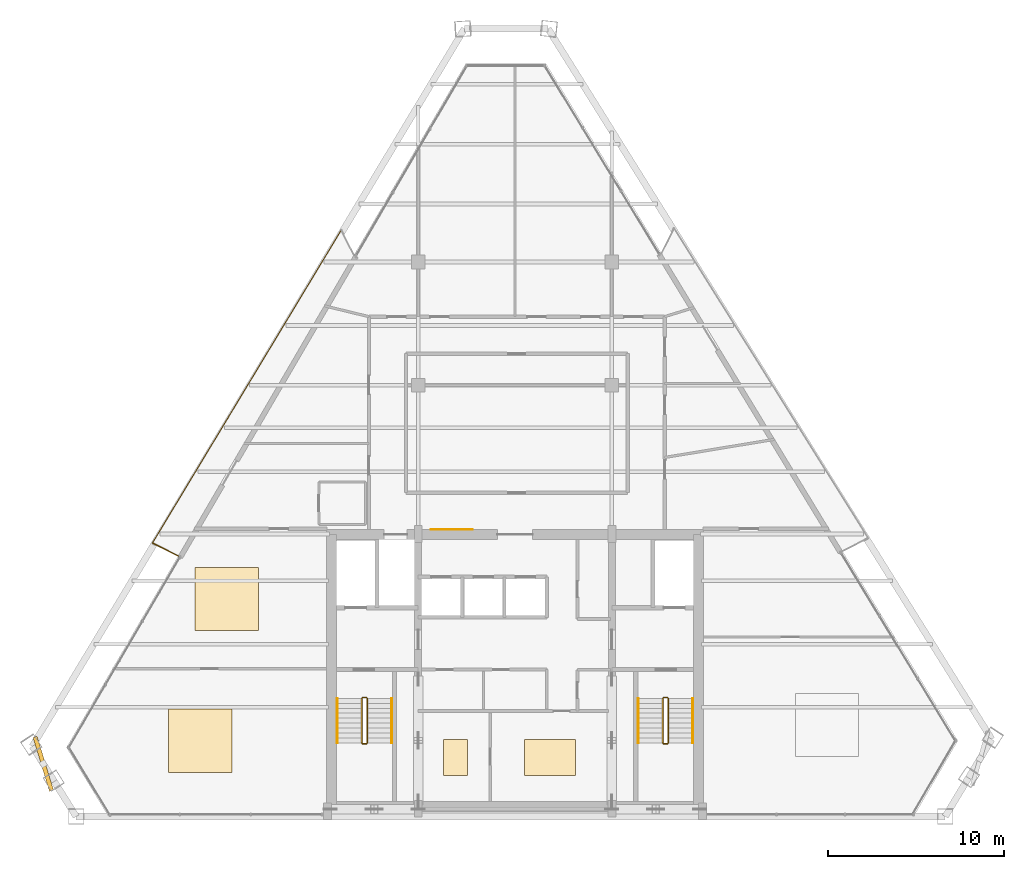
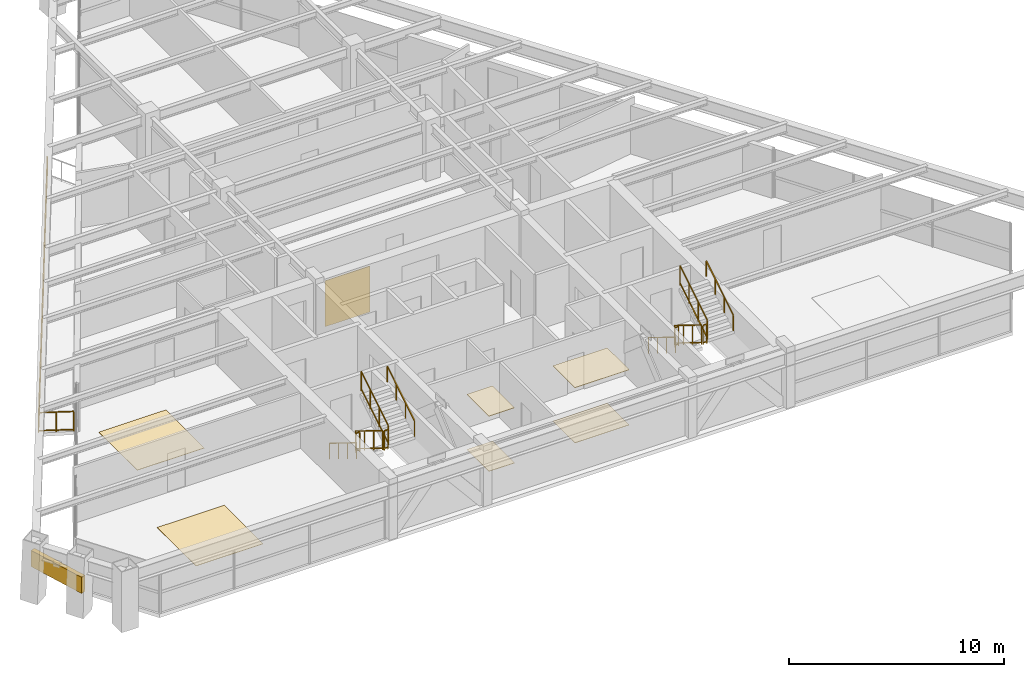
# One storey, part 12 of 13: 14 railings, 7 coverings, 1 shading device.
"""IFC4 building model written with IfcOpenShell, lengths in metres."""

from ifc_helpers import new_model, si_unit, direction, frame, origin, origin_2d, place, context, subcontext, project, spatial, rectangle, extrude, source, transform, mapped, material, layer, layer_set, type_object, type_shapes, element, save


model = new_model("IFC4")

# Units and contexts
model_context = context("Model", 3, precision=1e-05, world=origin(), true_north=direction((0.0, 1.0)))
body_context = subcontext(model_context, "Body", "Model", "MODEL_VIEW")
ifc_project = project(units=[si_unit("LENGTHUNIT", "METRE"), si_unit("AREAUNIT", "SQUARE_METRE"), si_unit("VOLUMEUNIT", "CUBIC_METRE"), si_unit("PLANEANGLEUNIT", "RADIAN"), si_unit("MASSUNIT", "GRAM", prefix="KILO")], contexts=[model_context])

# Site, building, storey
site_placement = place(None, origin())
site = spatial("IfcSite", under=ifc_project, at=site_placement, CompositionType="ELEMENT")
building_placement = place(site_placement, origin())
building = spatial("IfcBuilding", under=site, at=building_placement, Name="Varnakhor Terracotta Tower", CompositionType="ELEMENT")
storey_placement = place(building_placement, frame((0.0, 0.0, 254.5)))
storey = spatial("IfcBuildingStorey", under=building, at=storey_placement, Name="L66", CompositionType="ELEMENT", Elevation=254.5)

# Railings
ifc_material_1 = material(Name="Stainless Steel & Laminated Glass Guardrail", Category="steel")
railing_type_1 = type_object("IfcRailingType", Name="RLG-LOGGIA-GUARD-1150", PredefinedType="GUARDRAIL", material=ifc_material_1)
railing_1_placement = place(storey_placement, frame((-19.1337890625, 14.8046875, 0.0)))
element("IfcRailing", 1, at=railing_1_placement, inside=storey, type_object=railing_type_1, Name="L66 W Loggia Glass Guard 1", PredefinedType="GUARDRAIL", context=body_context, shape_type="SweptSolid", body=[
    extrude(rectangle(XDim=0.048095703125, YDim=0.048095703125, at=origin_2d()), frame((0.0, 0.0, 1.1259765625), z_axis=(-0.894754645276, 0.446558086655, 0.0), x_axis=(-0.446558086655, -0.894754645276, 0.0)), (0.0, 0.0, 1.0), 1.63916015625),
    extrude(rectangle(XDim=0.048095703125, YDim=0.048095703125, at=origin_2d()), frame((0.0, 0.0, 0.10009765625), z_axis=(-0.894754645276, 0.446558086655, 0.0), x_axis=(-0.446558086655, -0.894754645276, 0.0)), (0.0, 0.0, 1.0), 1.63916015625),
    extrude(rectangle(XDim=0.0419921875, YDim=0.0419921875, at=origin_2d()), origin(), (0.0, 0.0, 1.0), 1.101806640625),
    extrude(rectangle(XDim=0.0419921875, YDim=0.0419921875, at=origin_2d()), frame((-0.7333984375, 0.365966796875, 0.0)), (0.0, 0.0, 1.0), 1.101806640625),
    extrude(rectangle(XDim=0.0419921875, YDim=0.0419921875, at=origin_2d()), frame((-1.466552734375, 0.73193359375, 0.0)), (0.0, 0.0, 1.0), 1.101806640625),
])
railing_2_placement = place(storey_placement, frame((-20.600341796875, 15.53662109375, 0.0)))
element("IfcRailing", 2, at=railing_2_placement, inside=storey, type_object=railing_type_1, Name="L66 W Loggia Glass Guard 2", PredefinedType="GUARDRAIL", context=body_context, shape_type="SweptSolid", body=[
    extrude(rectangle(XDim=0.048095703125, YDim=0.048095703125, at=origin_2d()), frame((0.0, 0.0, 1.1259765625), z_axis=(0.516522314704, 0.856273728671, 0.0), x_axis=(-0.856273728671, 0.516522314704, 0.0)), (0.0, 0.0, 1.0), 20.766357421875),
    extrude(rectangle(XDim=0.048095703125, YDim=0.048095703125, at=origin_2d()), frame((0.0, 0.0, 0.10009765625), z_axis=(0.516522314704, 0.856273728671, 0.0), x_axis=(-0.856273728671, 0.516522314704, 0.0)), (0.0, 0.0, 1.0), 20.766357421875),
    extrude(rectangle(XDim=0.0419921875, YDim=0.0419921875, at=origin_2d()), origin(), (0.0, 0.0, 1.0), 1.101806640625),
    extrude(rectangle(XDim=0.0419921875, YDim=0.0419921875, at=origin_2d()), frame((0.715087890625, 1.185546875, 0.0)), (0.0, 0.0, 1.0), 1.101806640625),
    extrude(rectangle(XDim=0.0419921875, YDim=0.0419921875, at=origin_2d()), frame((1.43017578125, 2.370849609375, 0.0)), (0.0, 0.0, 1.0), 1.101806640625),
    extrude(rectangle(XDim=0.0419921875, YDim=0.0419921875, at=origin_2d()), frame((2.145263671875, 3.556396484375, 0.0)), (0.0, 0.0, 1.0), 1.101806640625),
    extrude(rectangle(XDim=0.0419921875, YDim=0.0419921875, at=origin_2d()), frame((2.8603515625, 4.74169921875, 0.0)), (0.0, 0.0, 1.0), 1.101806640625),
    extrude(rectangle(XDim=0.0419921875, YDim=0.0419921875, at=origin_2d()), frame((3.575439453125, 5.92724609375, 0.0)), (0.0, 0.0, 1.0), 1.101806640625),
    extrude(rectangle(XDim=0.0419921875, YDim=0.0419921875, at=origin_2d()), frame((4.29052734375, 7.11279296875, 0.0)), (0.0, 0.0, 1.0), 1.101806640625),
    extrude(rectangle(XDim=0.0419921875, YDim=0.0419921875, at=origin_2d()), frame((5.005615234375, 8.298095703125, 0.0)), (0.0, 0.0, 1.0), 1.101806640625),
    extrude(rectangle(XDim=0.0419921875, YDim=0.0419921875, at=origin_2d()), frame((5.720703125, 9.483642578125, 0.0)), (0.0, 0.0, 1.0), 1.101806640625),
    extrude(rectangle(XDim=0.0419921875, YDim=0.0419921875, at=origin_2d()), frame((6.435791015625, 10.6689453125, 0.0)), (0.0, 0.0, 1.0), 1.101806640625),
    extrude(rectangle(XDim=0.0419921875, YDim=0.0419921875, at=origin_2d()), frame((7.15087890625, 11.8544921875, 0.0)), (0.0, 0.0, 1.0), 1.101806640625),
    extrude(rectangle(XDim=0.0419921875, YDim=0.0419921875, at=origin_2d()), frame((7.865966796875, 13.0400390625, 0.0)), (0.0, 0.0, 1.0), 1.101806640625),
    extrude(rectangle(XDim=0.0419921875, YDim=0.0419921875, at=origin_2d()), frame((8.5810546875, 14.225341796875, 0.0)), (0.0, 0.0, 1.0), 1.101806640625),
    extrude(rectangle(XDim=0.0419921875, YDim=0.0419921875, at=origin_2d()), frame((9.296142578125, 15.410888671875, 0.0)), (0.0, 0.0, 1.0), 1.101806640625),
    extrude(rectangle(XDim=0.0419921875, YDim=0.0419921875, at=origin_2d()), frame((10.01123046875, 16.59619140625, 0.0)), (0.0, 0.0, 1.0), 1.101806640625),
    extrude(rectangle(XDim=0.0419921875, YDim=0.0419921875, at=origin_2d()), frame((10.726318359375, 17.78173828125, 0.0)), (0.0, 0.0, 1.0), 1.101806640625),
])
ifc_material_2 = material(Name="Painted Steel Stairwell Guardrail", Category="steel")
railing_type_2 = type_object("IfcRailingType", Name="RLG-STAIR-GUARD-1120", PredefinedType="GUARDRAIL", material=ifc_material_2)
railing_3_placement = place(storey_placement, frame((-8.699951171875, 6.7099609375, 0.172607421875)))
element("IfcRailing", 3, at=railing_3_placement, inside=storey, type_object=railing_type_2, Name="L66 ST-1 stair guard 1", PredefinedType="GUARDRAIL", context=body_context, shape_type="SweptSolid", body=[
    extrude(rectangle(XDim=0.048095703125, YDim=0.048095703125, at=origin_2d()), frame((0.0, 0.0, 1.09619140625), z_axis=(0.0, -0.851400495292, 0.524516154772), x_axis=(1.0, 0.0, 0.0)), (0.0, 0.0, 1.0), 2.9599609375),
    extrude(rectangle(XDim=0.048095703125, YDim=0.048095703125, at=origin_2d()), frame((0.0, 0.0, 0.10009765625), z_axis=(0.0, -0.851400495292, 0.524516154772), x_axis=(1.0, 0.0, 0.0)), (0.0, 0.0, 1.0), 2.9599609375),
    extrude(rectangle(XDim=0.0419921875, YDim=0.0419921875, at=origin_2d()), origin(), (0.0, 0.0, 1.0), 1.072021484375),
    extrude(rectangle(XDim=0.0419921875, YDim=0.0419921875, at=origin_2d()), frame((0.0, -0.840087890625, 0.517578125)), (0.0, 0.0, 1.0), 1.072021484375),
    extrude(rectangle(XDim=0.0419921875, YDim=0.0419921875, at=origin_2d()), frame((0.0, -1.679931640625, 1.034912109375)), (0.0, 0.0, 1.0), 1.072021484375),
    extrude(rectangle(XDim=0.0419921875, YDim=0.0419921875, at=origin_2d()), frame((0.0, -2.52001953125, 1.552490234375)), (0.0, 0.0, 1.0), 1.072021484375),
])
railing_4_placement = place(storey_placement, frame((-8.64990234375, 4.139892578125, 1.72509765625)))
element("IfcRailing", 4, at=railing_4_placement, inside=storey, type_object=railing_type_2, Name="L66 ST-1 stair guard 2", PredefinedType="GUARDRAIL", context=body_context, shape_type="SweptSolid", body=[
    extrude(rectangle(XDim=0.048095703125, YDim=0.048095703125, at=origin_2d()), frame((0.0, 0.0, 1.09619140625), z_axis=(1.0, 0.0, 0.0), x_axis=(0.0, 1.0, 0.0)), (0.0, 0.0, 1.0), 0.199951171875),
    extrude(rectangle(XDim=0.048095703125, YDim=0.048095703125, at=origin_2d()), frame((0.0, 0.0, 0.10009765625), z_axis=(1.0, 0.0, 0.0), x_axis=(0.0, 1.0, 0.0)), (0.0, 0.0, 1.0), 0.199951171875),
    extrude(rectangle(XDim=0.0419921875, YDim=0.0419921875, at=origin_2d()), origin(), (0.0, 0.0, 1.0), 1.072021484375),
    extrude(rectangle(XDim=0.0419921875, YDim=0.0419921875, at=origin_2d()), frame((0.199951171875, 0.0, 0.0)), (0.0, 0.0, 1.0), 1.072021484375),
])
railing_5_placement = place(storey_placement, frame((-8.39990234375, 4.18994140625, 1.8974609375)))
element("IfcRailing", 5, at=railing_5_placement, inside=storey, type_object=railing_type_2, Name="L66 ST-1 stair guard 3", PredefinedType="GUARDRAIL", context=body_context, shape_type="SweptSolid", body=[
    extrude(rectangle(XDim=0.048095703125, YDim=0.048095703125, at=origin_2d()), frame((0.0, 0.0, 1.09619140625), z_axis=(0.0, 0.851400495292, 0.524516154772), x_axis=(-1.0, 0.0, 0.0)), (0.0, 0.0, 1.0), 2.9599609375),
    extrude(rectangle(XDim=0.048095703125, YDim=0.048095703125, at=origin_2d()), frame((0.0, 0.0, 0.10009765625), z_axis=(0.0, 0.851400495292, 0.524516154772), x_axis=(-1.0, 0.0, 0.0)), (0.0, 0.0, 1.0), 2.9599609375),
    extrude(rectangle(XDim=0.0419921875, YDim=0.0419921875, at=origin_2d()), origin(), (0.0, 0.0, 1.0), 1.072021484375),
    extrude(rectangle(XDim=0.0419921875, YDim=0.0419921875, at=origin_2d()), frame((0.0, 0.840087890625, 0.517578125)), (0.0, 0.0, 1.0), 1.072021484375),
    extrude(rectangle(XDim=0.0419921875, YDim=0.0419921875, at=origin_2d()), frame((0.0, 1.679931640625, 1.034912109375)), (0.0, 0.0, 1.0), 1.072021484375),
    extrude(rectangle(XDim=0.0419921875, YDim=0.0419921875, at=origin_2d()), frame((0.0, 2.52001953125, 1.552490234375)), (0.0, 0.0, 1.0), 1.072021484375),
])
railing_6_placement = place(storey_placement, frame((-8.64990234375, 6.760009765625, 0.0)))
element("IfcRailing", 6, at=railing_6_placement, inside=storey, type_object=railing_type_2, Name="L66 ST-1 stair guard 4", PredefinedType="GUARDRAIL", context=body_context, shape_type="SweptSolid", body=[
    extrude(rectangle(XDim=0.048095703125, YDim=0.048095703125, at=origin_2d()), frame((0.0, 0.0, 1.09619140625), z_axis=(1.0, 0.0, 0.0), x_axis=(0.0, 1.0, 0.0)), (0.0, 0.0, 1.0), 0.199951171875),
    extrude(rectangle(XDim=0.048095703125, YDim=0.048095703125, at=origin_2d()), frame((0.0, 0.0, 0.10009765625), z_axis=(1.0, 0.0, 0.0), x_axis=(0.0, 1.0, 0.0)), (0.0, 0.0, 1.0), 0.199951171875),
    extrude(rectangle(XDim=0.0419921875, YDim=0.0419921875, at=origin_2d()), origin(), (0.0, 0.0, 1.0), 1.072021484375),
    extrude(rectangle(XDim=0.0419921875, YDim=0.0419921875, at=origin_2d()), frame((0.199951171875, 0.0, 0.0)), (0.0, 0.0, 1.0), 1.072021484375),
])
railing_7_placement = place(storey_placement, frame((8.39990234375, 6.7099609375, 0.172607421875)))
element("IfcRailing", 7, at=railing_7_placement, inside=storey, type_object=railing_type_2, Name="L66 ST-2 stair guard 1", PredefinedType="GUARDRAIL", context=body_context, shape_type="SweptSolid", body=[
    extrude(rectangle(XDim=0.048095703125, YDim=0.048095703125, at=origin_2d()), frame((0.0, 0.0, 1.09619140625), z_axis=(0.0, -0.851400495292, 0.524516154772), x_axis=(1.0, 0.0, 0.0)), (0.0, 0.0, 1.0), 2.9599609375),
    extrude(rectangle(XDim=0.048095703125, YDim=0.048095703125, at=origin_2d()), frame((0.0, 0.0, 0.10009765625), z_axis=(0.0, -0.851400495292, 0.524516154772), x_axis=(1.0, 0.0, 0.0)), (0.0, 0.0, 1.0), 2.9599609375),
    extrude(rectangle(XDim=0.0419921875, YDim=0.0419921875, at=origin_2d()), origin(), (0.0, 0.0, 1.0), 1.072021484375),
    extrude(rectangle(XDim=0.0419921875, YDim=0.0419921875, at=origin_2d()), frame((0.0, -0.840087890625, 0.517578125)), (0.0, 0.0, 1.0), 1.072021484375),
    extrude(rectangle(XDim=0.0419921875, YDim=0.0419921875, at=origin_2d()), frame((0.0, -1.679931640625, 1.034912109375)), (0.0, 0.0, 1.0), 1.072021484375),
    extrude(rectangle(XDim=0.0419921875, YDim=0.0419921875, at=origin_2d()), frame((0.0, -2.52001953125, 1.552490234375)), (0.0, 0.0, 1.0), 1.072021484375),
])
railing_8_placement = place(storey_placement, frame((8.449951171875, 4.139892578125, 1.72509765625)))
element("IfcRailing", 8, at=railing_8_placement, inside=storey, type_object=railing_type_2, Name="L66 ST-2 stair guard 2", PredefinedType="GUARDRAIL", context=body_context, shape_type="SweptSolid", body=[
    extrude(rectangle(XDim=0.048095703125, YDim=0.048095703125, at=origin_2d()), frame((0.0, 0.0, 1.09619140625), z_axis=(1.0, 0.0, 0.0), x_axis=(0.0, 1.0, 0.0)), (0.0, 0.0, 1.0), 0.199951171875),
    extrude(rectangle(XDim=0.048095703125, YDim=0.048095703125, at=origin_2d()), frame((0.0, 0.0, 0.10009765625), z_axis=(1.0, 0.0, 0.0), x_axis=(0.0, 1.0, 0.0)), (0.0, 0.0, 1.0), 0.199951171875),
    extrude(rectangle(XDim=0.0419921875, YDim=0.0419921875, at=origin_2d()), origin(), (0.0, 0.0, 1.0), 1.072021484375),
    extrude(rectangle(XDim=0.0419921875, YDim=0.0419921875, at=origin_2d()), frame((0.199951171875, 0.0, 0.0)), (0.0, 0.0, 1.0), 1.072021484375),
])
railing_9_placement = place(storey_placement, frame((8.699951171875, 4.18994140625, 1.8974609375)))
element("IfcRailing", 9, at=railing_9_placement, inside=storey, type_object=railing_type_2, Name="L66 ST-2 stair guard 3", PredefinedType="GUARDRAIL", context=body_context, shape_type="SweptSolid", body=[
    extrude(rectangle(XDim=0.048095703125, YDim=0.048095703125, at=origin_2d()), frame((0.0, 0.0, 1.09619140625), z_axis=(0.0, 0.851400495292, 0.524516154772), x_axis=(-1.0, 0.0, 0.0)), (0.0, 0.0, 1.0), 2.9599609375),
    extrude(rectangle(XDim=0.048095703125, YDim=0.048095703125, at=origin_2d()), frame((0.0, 0.0, 0.10009765625), z_axis=(0.0, 0.851400495292, 0.524516154772), x_axis=(-1.0, 0.0, 0.0)), (0.0, 0.0, 1.0), 2.9599609375),
    extrude(rectangle(XDim=0.0419921875, YDim=0.0419921875, at=origin_2d()), origin(), (0.0, 0.0, 1.0), 1.072021484375),
    extrude(rectangle(XDim=0.0419921875, YDim=0.0419921875, at=origin_2d()), frame((0.0, 0.840087890625, 0.517578125)), (0.0, 0.0, 1.0), 1.072021484375),
    extrude(rectangle(XDim=0.0419921875, YDim=0.0419921875, at=origin_2d()), frame((0.0, 1.679931640625, 1.034912109375)), (0.0, 0.0, 1.0), 1.072021484375),
    extrude(rectangle(XDim=0.0419921875, YDim=0.0419921875, at=origin_2d()), frame((0.0, 2.52001953125, 1.552490234375)), (0.0, 0.0, 1.0), 1.072021484375),
])
railing_10_placement = place(storey_placement, frame((8.449951171875, 6.760009765625, 0.0)))
element("IfcRailing", 10, at=railing_10_placement, inside=storey, type_object=railing_type_2, Name="L66 ST-2 stair guard 4", PredefinedType="GUARDRAIL", context=body_context, shape_type="SweptSolid", body=[
    extrude(rectangle(XDim=0.048095703125, YDim=0.048095703125, at=origin_2d()), frame((0.0, 0.0, 1.09619140625), z_axis=(1.0, 0.0, 0.0), x_axis=(0.0, 1.0, 0.0)), (0.0, 0.0, 1.0), 0.199951171875),
    extrude(rectangle(XDim=0.048095703125, YDim=0.048095703125, at=origin_2d()), frame((0.0, 0.0, 0.10009765625), z_axis=(1.0, 0.0, 0.0), x_axis=(0.0, 1.0, 0.0)), (0.0, 0.0, 1.0), 0.199951171875),
    extrude(rectangle(XDim=0.0419921875, YDim=0.0419921875, at=origin_2d()), origin(), (0.0, 0.0, 1.0), 1.072021484375),
    extrude(rectangle(XDim=0.0419921875, YDim=0.0419921875, at=origin_2d()), frame((0.199951171875, 0.0, 0.0)), (0.0, 0.0, 1.0), 1.072021484375),
])
ifc_material_3 = material(Name="Brushed Stainless Steel Handrail", Category="steel")
railing_type_3 = type_object("IfcRailingType", Name="RLG-STAIR-HANDRAIL-920", PredefinedType="HANDRAIL", material=ifc_material_3)
railing_11_placement = place(storey_placement, frame((-10.10009765625, 6.7099609375, 0.172607421875)))
element("IfcRailing", 11, at=railing_11_placement, inside=storey, type_object=railing_type_3, Name="L66 ST-1 stair handrail 1", PredefinedType="HANDRAIL", context=body_context, shape_type="SweptSolid", body=[
    extrude(rectangle(XDim=0.048095703125, YDim=0.048095703125, at=origin_2d()), frame((0.0, 0.0, 0.89599609375), z_axis=(0.0, -0.851400495292, 0.524516154772), x_axis=(1.0, 0.0, 0.0)), (0.0, 0.0, 1.0), 2.9599609375),
    extrude(rectangle(XDim=0.0419921875, YDim=0.0419921875, at=origin_2d()), origin(), (0.0, 0.0, 1.0), 0.871826171875),
    extrude(rectangle(XDim=0.0419921875, YDim=0.0419921875, at=origin_2d()), frame((0.0, -0.840087890625, 0.517578125)), (0.0, 0.0, 1.0), 0.871826171875),
    extrude(rectangle(XDim=0.0419921875, YDim=0.0419921875, at=origin_2d()), frame((0.0, -1.679931640625, 1.034912109375)), (0.0, 0.0, 1.0), 0.871826171875),
    extrude(rectangle(XDim=0.0419921875, YDim=0.0419921875, at=origin_2d()), frame((0.0, -2.52001953125, 1.552490234375)), (0.0, 0.0, 1.0), 0.871826171875),
])
railing_12_placement = place(storey_placement, frame((-7.0, 4.18994140625, 1.8974609375)))
element("IfcRailing", 12, at=railing_12_placement, inside=storey, type_object=railing_type_3, Name="L66 ST-1 stair handrail 2", PredefinedType="HANDRAIL", context=body_context, shape_type="SweptSolid", body=[
    extrude(rectangle(XDim=0.048095703125, YDim=0.048095703125, at=origin_2d()), frame((0.0, 0.0, 0.89599609375), z_axis=(0.0, 0.851400495292, 0.524516154772), x_axis=(-1.0, 0.0, 0.0)), (0.0, 0.0, 1.0), 2.9599609375),
    extrude(rectangle(XDim=0.0419921875, YDim=0.0419921875, at=origin_2d()), origin(), (0.0, 0.0, 1.0), 0.871826171875),
    extrude(rectangle(XDim=0.0419921875, YDim=0.0419921875, at=origin_2d()), frame((0.0, 0.840087890625, 0.517578125)), (0.0, 0.0, 1.0), 0.871826171875),
    extrude(rectangle(XDim=0.0419921875, YDim=0.0419921875, at=origin_2d()), frame((0.0, 1.679931640625, 1.034912109375)), (0.0, 0.0, 1.0), 0.871826171875),
    extrude(rectangle(XDim=0.0419921875, YDim=0.0419921875, at=origin_2d()), frame((0.0, 2.52001953125, 1.552490234375)), (0.0, 0.0, 1.0), 0.871826171875),
])
railing_13_placement = place(storey_placement, frame((7.0, 6.7099609375, 0.172607421875)))
element("IfcRailing", 13, at=railing_13_placement, inside=storey, type_object=railing_type_3, Name="L66 ST-2 stair handrail 1", PredefinedType="HANDRAIL", context=body_context, shape_type="SweptSolid", body=[
    extrude(rectangle(XDim=0.048095703125, YDim=0.048095703125, at=origin_2d()), frame((0.0, 0.0, 0.89599609375), z_axis=(0.0, -0.851400495292, 0.524516154772), x_axis=(1.0, 0.0, 0.0)), (0.0, 0.0, 1.0), 2.9599609375),
    extrude(rectangle(XDim=0.0419921875, YDim=0.0419921875, at=origin_2d()), origin(), (0.0, 0.0, 1.0), 0.871826171875),
    extrude(rectangle(XDim=0.0419921875, YDim=0.0419921875, at=origin_2d()), frame((0.0, -0.840087890625, 0.517578125)), (0.0, 0.0, 1.0), 0.871826171875),
    extrude(rectangle(XDim=0.0419921875, YDim=0.0419921875, at=origin_2d()), frame((0.0, -1.679931640625, 1.034912109375)), (0.0, 0.0, 1.0), 0.871826171875),
    extrude(rectangle(XDim=0.0419921875, YDim=0.0419921875, at=origin_2d()), frame((0.0, -2.52001953125, 1.552490234375)), (0.0, 0.0, 1.0), 0.871826171875),
])
railing_14_placement = place(storey_placement, frame((10.10009765625, 4.18994140625, 1.8974609375)))
element("IfcRailing", 14, at=railing_14_placement, inside=storey, type_object=railing_type_3, Name="L66 ST-2 stair handrail 2", PredefinedType="HANDRAIL", context=body_context, shape_type="SweptSolid", body=[
    extrude(rectangle(XDim=0.048095703125, YDim=0.048095703125, at=origin_2d()), frame((0.0, 0.0, 0.89599609375), z_axis=(0.0, 0.851400495292, 0.524516154772), x_axis=(-1.0, 0.0, 0.0)), (0.0, 0.0, 1.0), 2.9599609375),
    extrude(rectangle(XDim=0.0419921875, YDim=0.0419921875, at=origin_2d()), origin(), (0.0, 0.0, 1.0), 0.871826171875),
    extrude(rectangle(XDim=0.0419921875, YDim=0.0419921875, at=origin_2d()), frame((0.0, 0.840087890625, 0.517578125)), (0.0, 0.0, 1.0), 0.871826171875),
    extrude(rectangle(XDim=0.0419921875, YDim=0.0419921875, at=origin_2d()), frame((0.0, 1.679931640625, 1.034912109375)), (0.0, 0.0, 1.0), 0.871826171875),
    extrude(rectangle(XDim=0.0419921875, YDim=0.0419921875, at=origin_2d()), frame((0.0, 2.52001953125, 1.552490234375)), (0.0, 0.0, 1.0), 0.871826171875),
])

# Shading device
ifc_material_4 = material(Name="Extruded Architectural Terracotta Screen", Category="masonry")
shading_device_type = type_object("IfcShadingDeviceType", Name="TERRACOTTA SOLAR SCREEN W", PredefinedType="USERDEFINED", material=ifc_material_4)
shared_shape_1 = source(origin(), body_context, "Body", "SweptSolid", [
    extrude(rectangle(XDim=3.199951171875, YDim=0.239990234375, at=origin_2d()), origin(), (0.0, 0.0, 1.0), 0.919921875),
])
type_shapes(shading_device_type, [shared_shape_1])
shading_device_placement = place(storey_placement, frame((-26.80029296875, 2.992919921875, 1.471923828125), z_axis=(0.0, 0.0, 1.0), x_axis=(0.292021181093, -0.956411851554, 0.0)))
element("IfcShadingDevice", 15, at=shading_device_placement, inside=storey, type_object=shading_device_type, Name="L66 W Terracotta Solar Screen", ObjectType="SCREEN", PredefinedType="USERDEFINED", context=body_context, shape_type="MappedRepresentation", body=[
    mapped(shared_shape_1, transform((0.0, 0.0, 0.0), scale=1.0)),
])

# Coverings
ifc_material_5 = material(Name="Extruded Architectural Terracotta Cladding", Category="masonry")
ifc_layer_1 = layer(ifc_material_5, 0.044921875, Name="Extruded Architectural Terracotta Cladding")
ifc_layer_set_1 = layer_set([ifc_layer_1], Name="Extruded Architectural Terracotta Cladding")
covering_type_1 = type_object("IfcCoveringType", Name="COV-CLAD-TERRACOTTA", PredefinedType="CLADDING", material=ifc_layer_set_1)
shared_shape_2 = source(origin(), body_context, "Body", "SweptSolid", [
    extrude(rectangle(XDim=2.39990234375, YDim=0.030029296875, at=origin_2d()), origin(), (0.0, 0.0, 1.0), 2.60009765625),
])
type_shapes(covering_type_1, [shared_shape_2])
covering_1_placement = place(storey_placement, frame((-3.60009765625, 16.31201171875, 0.0), z_axis=(0.0, 0.0, 1.0), x_axis=(1.0, 0.0, 0.0)))
element("IfcCovering", 16, at=covering_1_placement, inside=storey, type_object=covering_type_1, Name="L66 Core Lobby Limestone Cladding", PredefinedType="CLADDING", context=body_context, shape_type="MappedRepresentation", body=[
    mapped(shared_shape_2, transform((0.0, 0.0, 0.0), scale=1.0)),
])
ifc_material_6 = material(Name="Honed Riyadh Limestone Flooring", Category="masonry")
ifc_layer_2 = layer(ifc_material_6, 0.030029296875, Name="Honed Riyadh Limestone Flooring")
ifc_layer_set_2 = layer_set([ifc_layer_2], Name="Honed Riyadh Limestone Flooring")
covering_type_2 = type_object("IfcCoveringType", Name="COV-FLOOR-LIMESTONE", PredefinedType="FLOORING", material=ifc_layer_set_2)
shared_shape_3 = source(origin(), body_context, "Body", "SweptSolid", [
    extrude(rectangle(XDim=3.60009765625, YDim=3.60009765625, at=origin_2d()), origin(), (0.0, 0.0, 1.0), 0.02001953125),
])
covering_2_placement = place(storey_placement, frame((-17.886962890625, 4.303955078125, 0.0), z_axis=(0.0, 0.0, 1.0), x_axis=(1.0, 0.0, 0.0)))
element("IfcCovering", 17, at=covering_2_placement, inside=storey, type_object=covering_type_2, Name="L66 Honed Stone Flooring 3", PredefinedType="FLOORING", context=body_context, shape_type="MappedRepresentation", body=[
    mapped(shared_shape_3, transform((0.0, 0.0, 0.0), scale=1.0)),
])
shared_shape_4 = source(origin(), body_context, "Body", "SweptSolid", [
    extrude(rectangle(XDim=1.375, YDim=2.041015625, at=origin_2d()), origin(), (0.0, 0.0, 1.0), 0.02001953125),
])
covering_3_placement = place(storey_placement, frame((-3.389892578125, 3.35498046875, 0.0), z_axis=(0.0, 0.0, 1.0), x_axis=(1.0, 0.0, 0.0)))
element("IfcCovering", 18, at=covering_3_placement, inside=storey, type_object=covering_type_2, Name="L66 Honed Stone Flooring 1", PredefinedType="FLOORING", context=body_context, shape_type="MappedRepresentation", body=[
    mapped(shared_shape_4, transform((0.0, 0.0, 0.0), scale=1.0)),
])
ifc_material_7 = material(Name="Perforated Acoustic Mineral-Fibre Ceiling", Category="gypsum")
ifc_layer_3 = layer(ifc_material_7, 0.02490234375, Name="Perforated Acoustic Mineral-Fibre Ceiling")
ifc_layer_set_3 = layer_set([ifc_layer_3], Name="Perforated Acoustic Mineral-Fibre Ceiling")
covering_type_3 = type_object("IfcCoveringType", Name="COV-CEILING-ACOUSTIC", PredefinedType="CEILING", material=ifc_layer_set_3)
shared_shape_5 = source(origin(), body_context, "Body", "SweptSolid", [
    extrude(rectangle(XDim=1.375, YDim=2.041015625, at=origin_2d()), origin(), (0.0, 0.0, 1.0), 0.02392578125),
])
covering_4_placement = place(storey_placement, frame((-3.389892578125, 3.35498046875, 3.1259765625), z_axis=(0.0, 0.0, 1.0), x_axis=(1.0, 0.0, 0.0)))
element("IfcCovering", 19, at=covering_4_placement, inside=storey, type_object=covering_type_3, Name="L66 Acoustic Ceiling Panel 1", PredefinedType="CEILING", context=body_context, shape_type="MappedRepresentation", body=[
    mapped(shared_shape_5, transform((0.0, 0.0, 0.0), scale=1.0)),
])
shared_shape_6 = source(origin(), body_context, "Body", "SweptSolid", [
    extrude(rectangle(XDim=2.9150390625, YDim=2.041015625, at=origin_2d()), origin(), (0.0, 0.0, 1.0), 0.02001953125),
])
covering_5_placement = place(storey_placement, frame((1.989990234375, 3.35498046875, 0.0), z_axis=(0.0, 0.0, 1.0), x_axis=(1.0, 0.0, 0.0)))
element("IfcCovering", 20, at=covering_5_placement, inside=storey, type_object=covering_type_2, Name="L66 Honed Stone Flooring 2", PredefinedType="FLOORING", context=body_context, shape_type="MappedRepresentation", body=[
    mapped(shared_shape_6, transform((0.0, 0.0, 0.0), scale=1.0)),
])
shared_shape_7 = source(origin(), body_context, "Body", "SweptSolid", [
    extrude(rectangle(XDim=2.9150390625, YDim=2.041015625, at=origin_2d()), origin(), (0.0, 0.0, 1.0), 0.02392578125),
])
covering_6_placement = place(storey_placement, frame((1.989990234375, 3.35498046875, 3.1259765625), z_axis=(0.0, 0.0, 1.0), x_axis=(1.0, 0.0, 0.0)))
element("IfcCovering", 21, at=covering_6_placement, inside=storey, type_object=covering_type_3, Name="L66 Acoustic Ceiling Panel 2", PredefinedType="CEILING", context=body_context, shape_type="MappedRepresentation", body=[
    mapped(shared_shape_7, transform((0.0, 0.0, 0.0), scale=1.0)),
])
shared_shape_8 = source(origin(), body_context, "Body", "SweptSolid", [
    extrude(rectangle(XDim=3.60009765625, YDim=3.56396484375, at=origin_2d()), origin(), (0.0, 0.0, 1.0), 0.02001953125),
])
covering_7_placement = place(storey_placement, frame((-16.373046875, 12.361083984375, 0.0), z_axis=(0.0, 0.0, 1.0), x_axis=(1.0, 0.0, 0.0)))
element("IfcCovering", 22, at=covering_7_placement, inside=storey, type_object=covering_type_2, Name="L66 Honed Stone Flooring 5", PredefinedType="FLOORING", context=body_context, shape_type="MappedRepresentation", body=[
    mapped(shared_shape_8, transform((0.0, 0.0, 0.0), scale=1.0)),
])

save(model, "model.ifc")
